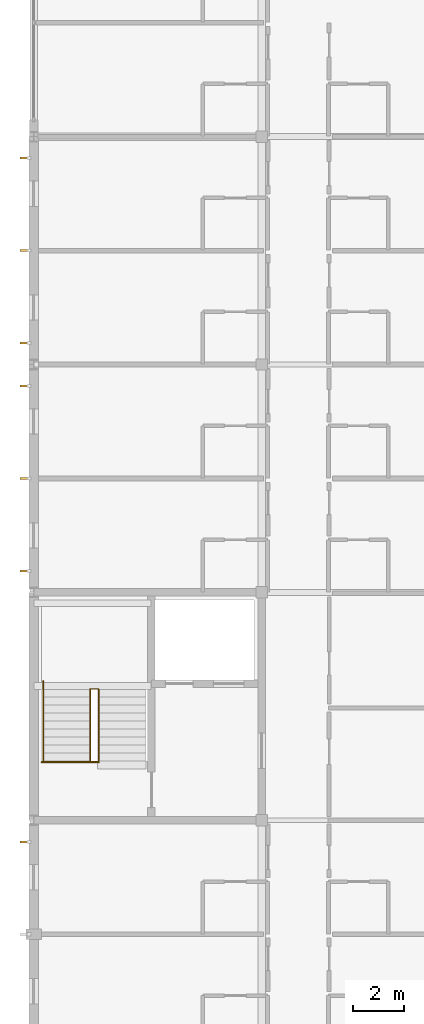
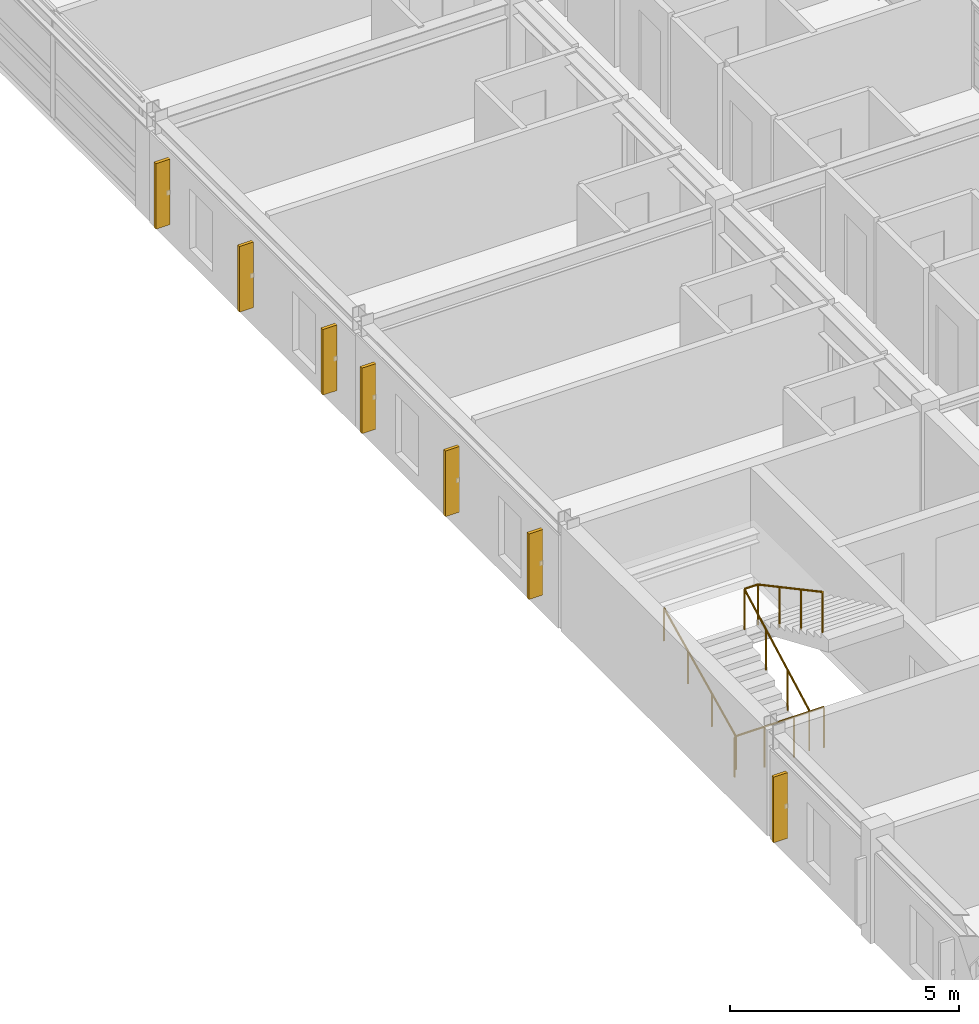
# One storey, part 23 of 24: 7 shading devices, 3 railings.
"""IFC4 building model written with IfcOpenShell, lengths in metres."""

from ifc_helpers import new_model, si_unit, direction, frame, origin, origin_2d, place, context, subcontext, project, spatial, rectangle, circle, extrude, material, type_object, element, save


model = new_model("IFC4")

# Units and contexts
model_context = context("Model", 3, precision=1e-05, world=origin(), true_north=direction((0.0, 1.0)))
body_context = subcontext(model_context, "Body", "Model", "MODEL_VIEW")
ifc_project = project(units=[si_unit("LENGTHUNIT", "METRE"), si_unit("AREAUNIT", "SQUARE_METRE"), si_unit("VOLUMEUNIT", "CUBIC_METRE"), si_unit("PLANEANGLEUNIT", "RADIAN"), si_unit("MASSUNIT", "GRAM", prefix="KILO")], contexts=[model_context])

# Site, building, storey
site_placement = place(None, origin())
site = spatial("IfcSite", under=ifc_project, at=site_placement, CompositionType="ELEMENT")
building_placement = place(site_placement, origin())
building = spatial("IfcBuilding", under=site, at=building_placement, Name="Palais des Congres Ocreval", CompositionType="ELEMENT")
storey_placement = place(building_placement, frame((0.0, 0.0, 17.60009765625)))
storey = spatial("IfcBuildingStorey", under=building, at=storey_placement, Name="L05", CompositionType="ELEMENT", Elevation=17.60009765625)

# Railings
ifc_material_1 = material(Name="Anodized bronze aluminium", Category="aluminium")
railing_type_1 = type_object("IfcRailingType", Name="Bronze Stair and Ramp Handrail 900", PredefinedType="HANDRAIL", material=ifc_material_1)
railing_1_placement = place(storey_placement, frame((0.3798828125, 38.35009765625, 0.15185546875)))
element("IfcRailing", 1, at=railing_1_placement, inside=storey, type_object=railing_type_1, Name="Stair Wall Handrail ST03 L05", PredefinedType="HANDRAIL", context=body_context, shape_type="SweptSolid", body=[
    extrude(circle(Radius=0.02392578125, at=origin_2d()), frame((0.0, 0.0, 0.8759765625), z_axis=(0.0, 0.900621362251, 0.434604604044), x_axis=(-1.0, 0.0, 0.0)), (0.0, 0.0, 1.0), 3.49755859375),
    extrude(circle(Radius=0.02099609375, at=origin_2d()), origin(), (0.0, 0.0, 1.0), 0.851806640625),
    extrude(circle(Radius=0.02099609375, at=origin_2d()), frame((0.0, 1.050048828125, 0.506591796875)), (0.0, 0.0, 1.0), 0.851806640625),
    extrude(circle(Radius=0.02099609375, at=origin_2d()), frame((0.0, 2.099853515625, 1.013427734375)), (0.0, 0.0, 1.0), 0.851806640625),
    extrude(circle(Radius=0.02099609375, at=origin_2d()), frame((0.0, 3.14990234375, 1.52001953125)), (0.0, 0.0, 1.0), 0.851806640625),
])
ifc_material_2 = material(Name="Steel S355", Category="steel")
railing_type_2 = type_object("IfcRailingType", Name="Stairwell Steel Guardrail 1100", PredefinedType="GUARDRAIL", material=ifc_material_2)
railing_2_placement = place(storey_placement, frame((0.320068359375, 38.300048828125, 0.0)))
element("IfcRailing", 2, at=railing_2_placement, inside=storey, type_object=railing_type_2, Name="Stairwell Landing Edge Guard ST03 L05", PredefinedType="GUARDRAIL", context=body_context, shape_type="SweptSolid", body=[
    extrude(circle(Radius=0.02392578125, at=origin_2d()), frame((0.0, 0.0, 1.076171875), z_axis=(1.0, 0.0, 0.0), x_axis=(0.0, 1.0, 0.0)), (0.0, 0.0, 1.0), 2.25),
    extrude(circle(Radius=0.02099609375, at=origin_2d()), origin(), (0.0, 0.0, 1.0), 1.052001953125),
    extrude(circle(Radius=0.02099609375, at=origin_2d()), frame((0.75, 0.0, 0.0)), (0.0, 0.0, 1.0), 1.052001953125),
    extrude(circle(Radius=0.02099609375, at=origin_2d()), frame((1.5, 0.0, 0.0)), (0.0, 0.0, 1.0), 1.052001953125),
    extrude(circle(Radius=0.02099609375, at=origin_2d()), frame((2.25, 0.0, 0.0)), (0.0, 0.0, 1.0), 1.052001953125),
])
railing_3_placement = place(storey_placement, frame((2.22998046875, 38.35009765625, 0.0)))
element("IfcRailing", 3, at=railing_3_placement, inside=storey, type_object=railing_type_2, Name="Stair Inner Guardrail ST03 L05", PredefinedType="GUARDRAIL", context=body_context, shape_type="SweptSolid", body=[
    extrude(circle(Radius=0.02392578125, at=origin_2d()), frame((0.0, 0.0, 1.076171875), z_axis=(0.0, 0.881312927046, 0.472533093678), x_axis=(-1.0, 0.0, 0.0)), (0.0, 0.0, 1.0), 3.216796875),
    extrude(circle(Radius=0.02392578125, at=origin_2d()), frame((0.0, 2.8349609375, 2.59619140625), z_axis=(1.0, 0.0, 0.0), x_axis=(0.0, 1.0, 0.0)), (0.0, 0.0, 1.0), 0.340087890625),
    extrude(circle(Radius=0.02392578125, at=origin_2d()), frame((0.340087890625, 2.8349609375, 2.59619140625), z_axis=(0.0, -0.881344533369, 0.472474140563), x_axis=(1.0, 0.0, 0.0)), (0.0, 0.0, 1.0), 3.216552734375),
    extrude(circle(Radius=0.02099609375, at=origin_2d()), origin(), (0.0, 0.0, 1.0), 1.052001953125),
    extrude(circle(Radius=0.02099609375, at=origin_2d()), frame((0.0, 0.945068359375, 0.506591796875)), (0.0, 0.0, 1.0), 1.052001953125),
    extrude(circle(Radius=0.02099609375, at=origin_2d()), frame((0.0, 1.889892578125, 1.013427734375)), (0.0, 0.0, 1.0), 1.052001953125),
    extrude(circle(Radius=0.02099609375, at=origin_2d()), frame((0.0, 2.8349609375, 1.52001953125)), (0.0, 0.0, 1.0), 1.052001953125),
    extrude(circle(Radius=0.02099609375, at=origin_2d()), frame((0.340087890625, 2.8349609375, 1.52001953125)), (0.0, 0.0, 1.0), 1.052001953125),
    extrude(circle(Radius=0.02099609375, at=origin_2d()), frame((0.340087890625, 1.889892578125, 2.026611328125)), (0.0, 0.0, 1.0), 1.052001953125),
    extrude(circle(Radius=0.02099609375, at=origin_2d()), frame((0.340087890625, 0.945068359375, 2.533203125)), (0.0, 0.0, 1.0), 1.052001953125),
    extrude(circle(Radius=0.02099609375, at=origin_2d()), frame((0.340087890625, 0.0, 3.039794921875)), (0.0, 0.0, 1.0), 1.052001953125),
])

# Shading devices
ifc_material_3 = material(Name="Terracotta ceramic", Category="masonry")
shading_device_type = type_object("IfcShadingDeviceType", Name="Terracotta Ceramic Brise-Soleil Fin 360", PredefinedType="JALOUSIE", material=ifc_material_3)
for number, where, z_axis, x_axis, name in (
    (4, (-0.360107421875, 35.14990234375, 0.474853515625), (0.0, 0.0, 1.0), (-1.0, 0.0, 0.0), "Ceramic Celosia Sun-Fin SD01"),
    (5, (-0.360107421875, 45.85009765625, 0.474853515625), (0.0, 0.0, 1.0), (-1.0, 0.0, 0.0), "Ceramic Celosia Sun-Fin SD01"),
    (6, (-0.360107421875, 49.5, 0.474853515625), (0.0, 0.0, 1.0), (-1.0, 0.0, 0.0), "Ceramic Celosia Sun-Fin SD01"),
    (7, (-0.360107421875, 53.14990234375, 0.474853515625), (0.0, 0.0, 1.0), (-1.0, 0.0, 0.0), "Ceramic Celosia Sun-Fin SD01"),
    (8, (-0.360107421875, 54.85009765625, 0.474853515625), (0.0, 0.0, 1.0), (-1.0, 0.0, 0.0), "Ceramic Celosia Sun-Fin SD01"),
    (9, (-0.360107421875, 58.5, 0.474853515625), (0.0, 0.0, 1.0), (-1.0, 0.0, 0.0), "Ceramic Celosia Sun-Fin SD01"),
    (10, (-0.360107421875, 62.14990234375, 0.474853515625), (0.0, 0.0, 1.0), (-1.0, 0.0, 0.0), "Ceramic Celosia Sun-Fin SD01"),
):
    element("IfcShadingDevice", number, at=place(storey_placement, frame(where, z_axis=z_axis, x_axis=x_axis)), inside=storey, type_object=shading_device_type, Name=name, PredefinedType="JALOUSIE", context=body_context, shape_type="SweptSolid", body=[
        extrude(rectangle(XDim=0.360107421875, YDim=0.080078125, at=origin_2d()), origin(), (0.0, 0.0, 1.0), 1.75),
    ])

save(model, "model.ifc")
